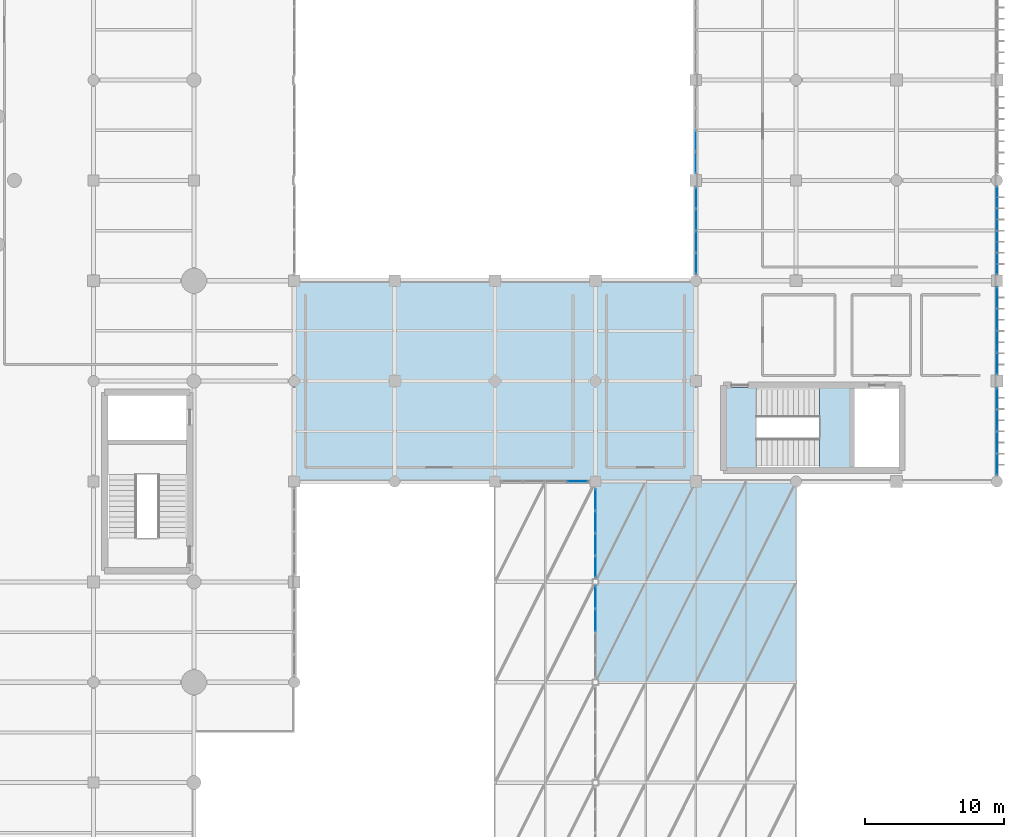
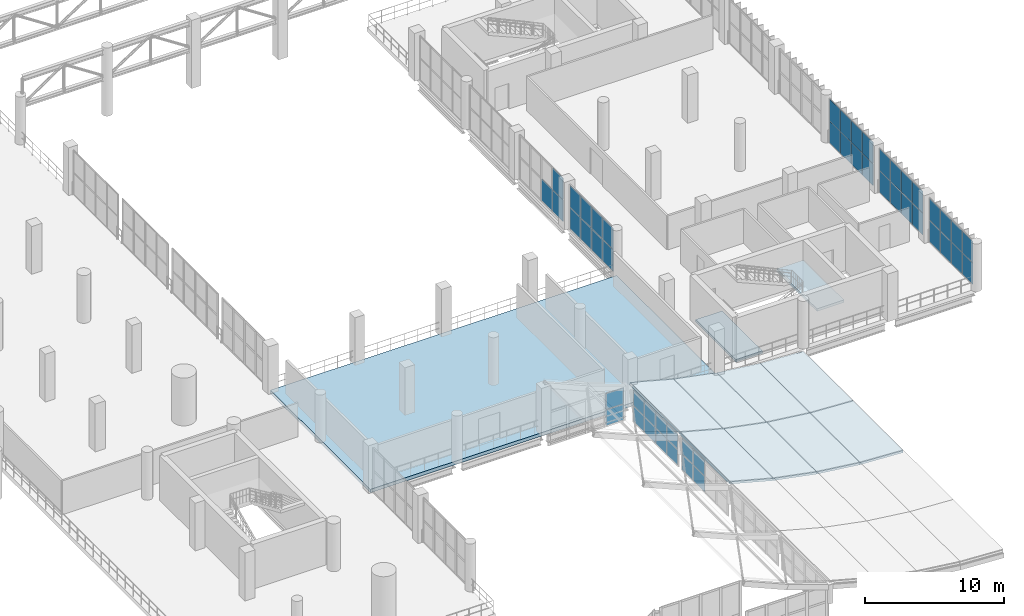
# One storey, part 126 of 153: 49 plates, 11 slabs, 9 elements without a shape of their own.
"""IFC4 building model written with IfcOpenShell, lengths in metres."""

import ifcopenshell
import ifcopenshell.guid

model = None  # the IFC model being written
_history = None  # IfcOwnerHistory: only IFC2X3 demands one
_inside = {}  # id of a spatial element -> (the spatial element, [elements in it])
_under = {}  # id of a project, library or spatial element -> (it, [spatial elements below it])
_declared = {}  # id of a project -> (the project, [libraries it declares])
_typed = {}  # id of a type object -> (the type object, [elements of that type])
_made_of = {}  # id of a material, layer set ... -> (it, [elements and type objects made of it])


def new_model(schema):
    """Start an empty IFC model of exactly this schema.

    Asked for "IFC4X3", IfcOpenShell would pick the latest addendum, in which some entities
    have other attributes; the version numbers below select the first issue.
    IFC2X3 requires an IfcOwnerHistory on every rooted entity: one is made here for all.
    """
    global model, _history
    if schema == "IFC4X3":
        model = ifcopenshell.file(schema_version=(4, 3, 0, 0))
    else:
        model = ifcopenshell.file(schema=schema)
    _inside.clear()
    _under.clear()
    _declared.clear()
    _typed.clear()
    _made_of.clear()
    _history = None
    if model.schema == "IFC2X3":
        org = make("IfcOrganization", Name="unknown")
        user = make(
            "IfcPersonAndOrganization",
            ThePerson=make("IfcPerson", FamilyName="unknown"),
            TheOrganization=org,
        )
        app = make(
            "IfcApplication",
            ApplicationDeveloper=org,
            Version="unknown",
            ApplicationFullName="unknown",
            ApplicationIdentifier="unknown",
        )
        _history = make(
            "IfcOwnerHistory",
            OwningUser=user,
            OwningApplication=app,
            ChangeAction="ADDED",
            CreationDate=0,
        )
    return model


def make(cls, **values):
    """One entity of the class cls with the attributes given. An attribute that is None is left unset."""
    return model.create_entity(
        cls, **{name: value for name, value in values.items() if value is not None}
    )


def rooted(cls, **values):
    """An entity with a GlobalId (a new one), such as an element, a storey or a relation."""
    return make(cls, GlobalId=ifcopenshell.guid.new(), OwnerHistory=_history, **values)


def si_unit(unit_type, name, prefix=None):
    """IfcSIUnit, for example si_unit("LENGTHUNIT", "METRE", prefix="MILLI")."""
    return make("IfcSIUnit", UnitType=unit_type, Prefix=prefix, Name=name)


def assignment(units):
    """IfcUnitAssignment: the units of a project."""
    return None if units is None else make("IfcUnitAssignment", Units=units)


def point(xyz):
    """IfcCartesianPoint."""
    return None if xyz is None else make("IfcCartesianPoint", Coordinates=xyz)


def direction(xyz):
    """IfcDirection."""
    return None if xyz is None else make("IfcDirection", DirectionRatios=xyz)


def frame(location, z_axis=None, x_axis=None):
    """IfcAxis2Placement3D, a coordinate frame: its origin and axes. An axis left out is left unset."""
    return make(
        "IfcAxis2Placement3D",
        Location=point(location),
        Axis=direction(z_axis),
        RefDirection=direction(x_axis),
    )


def frame_2d(location, x_axis=None):
    """IfcAxis2Placement2D, a coordinate frame in the plane: its origin and x axis."""
    return make(
        "IfcAxis2Placement2D", Location=point(location), RefDirection=direction(x_axis)
    )


def origin():
    """The frame at (0, 0, 0) with its axes left unset."""
    return frame((0.0, 0.0, 0.0))


def origin_2d():
    """The frame at (0, 0) in the plane with its x axis left unset."""
    return frame_2d((0.0, 0.0))


def place(relative_to, where):
    """IfcLocalPlacement: puts the frame where relative to a parent placement (None: the world)."""
    return make(
        "IfcLocalPlacement", PlacementRelTo=relative_to, RelativePlacement=where
    )


def context(
    kind, dimensions, precision=None, world=None, true_north=None, identifier=None
):
    """IfcGeometricRepresentationContext, for example the 3D "Model" context."""
    return make(
        "IfcGeometricRepresentationContext",
        ContextIdentifier=identifier,
        ContextType=kind,
        CoordinateSpaceDimension=dimensions,
        Precision=precision,
        WorldCoordinateSystem=world,
        TrueNorth=true_north,
    )


def subcontext(parent, identifier, kind, view, scale=None):
    """IfcGeometricRepresentationSubContext, for example "Body" below "Model"."""
    return make(
        "IfcGeometricRepresentationSubContext",
        ContextIdentifier=identifier,
        ContextType=kind,
        ParentContext=parent,
        TargetScale=scale,
        TargetView=view,
    )


def project(units=None, contexts=None):
    """IfcProject with its units and contexts."""
    return rooted(
        "IfcProject",
        Name="project",
        RepresentationContexts=contexts,
        UnitsInContext=assignment(units),
    )


def spatial(cls, under=None, at=None, **own):
    """A site, building, storey or space (cls), placed at a placement, below another one or the project."""
    s = rooted(cls, ObjectPlacement=at, **own)
    if under is not None:
        _under.setdefault(under.id(), (under, []))[1].append(s)
    return s


def polyline(points):
    """IfcPolyline through the points."""
    return make("IfcPolyline", Points=[point(p) for p in points])


def profile(cls, at=None, kind="AREA", **sizes):
    """A parametric profile (cls). Its sizes go by their IFC names, for example OverallWidth=200.0."""
    return make(cls, ProfileType=kind, Position=at, **sizes)


def rectangle(**sizes):
    """IfcRectangleProfileDef."""
    return profile("IfcRectangleProfileDef", **sizes)


def outline(outer, holes=None, kind="AREA"):
    """IfcArbitraryClosedProfileDef: a profile drawn as a closed curve; with holes, ...WithVoids."""
    if holes is None:
        return make("IfcArbitraryClosedProfileDef", ProfileType=kind, OuterCurve=outer)
    return make(
        "IfcArbitraryProfileDefWithVoids",
        ProfileType=kind,
        OuterCurve=outer,
        InnerCurves=holes,
    )


def extrude(swept, where, along, depth):
    """IfcExtrudedAreaSolid: the profile swept, set in the frame where, extruded along a direction by depth."""
    return make(
        "IfcExtrudedAreaSolid",
        SweptArea=swept,
        Position=where,
        ExtrudedDirection=direction(along),
        Depth=depth,
    )


def shape(context_of_items, identifier, shape_type, items):
    """IfcShapeRepresentation: the items that make up one representation, for example the "Body"."""
    return make(
        "IfcShapeRepresentation",
        ContextOfItems=context_of_items,
        RepresentationIdentifier=identifier,
        RepresentationType=shape_type,
        Items=items,
    )


def material(Name=None, Category=None):
    """IfcMaterial."""
    return make("IfcMaterial", Name=Name, Category=Category)


def layer(
    of_material, thickness, ventilated=None, Name=None, Category=None, Priority=None
):
    """IfcMaterialLayer: one layer of a wall or slab, of a material (None: an air gap)."""
    return make(
        "IfcMaterialLayer",
        Material=of_material,
        LayerThickness=thickness,
        IsVentilated=ventilated,
        Name=Name,
        Category=Category,
        Priority=Priority,
    )


def layer_set(layers, Name=None):
    """IfcMaterialLayerSet."""
    return make("IfcMaterialLayerSet", MaterialLayers=layers, LayerSetName=Name)


def made_of(thing, what):
    """Note that an element or type object is made of a material, layer set ...; save() writes the relation."""
    if what is not None:
        _made_of.setdefault(what.id(), (what, []))[1].append(thing)
    return thing


def type_object(cls, material=None, **own):
    """A type object (cls), such as IfcWallType, which elements share."""
    return made_of(rooted(cls, **own), material)


def element(
    cls,
    number,
    at=None,
    inside=None,
    cuts=None,
    type_object=None,
    material=None,
    context=None,
    identifier="Body",
    shape_type=None,
    held_by="IfcProductDefinitionShape",
    body=None,
    shapes=None,
    **own,
):
    """One element of the class cls, such as IfcWall. Its Tag is "e" and its number.

    at: its placement. inside: the storey or other place that contains it. cuts: it is an
    opening in that element (IfcRelVoidsElement). A single representation is given by context,
    identifier, shape_type and body (its items); several are given by shapes. held_by: the class
    of the entity that holds the representations. save() writes the other relations.
    """
    e = rooted(cls, Tag="e%d" % number, ObjectPlacement=at, **own)
    if body is not None:
        shapes = [shape(context, identifier, shape_type, body)]
    if shapes is not None:
        e.Representation = make(held_by, Representations=shapes)
    if inside is not None:
        _inside.setdefault(inside.id(), (inside, []))[1].append(e)
    if cuts is not None:
        rooted(
            "IfcRelVoidsElement", RelatingBuildingElement=cuts, RelatedOpeningElement=e
        )
    if type_object is not None:
        _typed.setdefault(type_object.id(), (type_object, []))[1].append(e)
    return made_of(e, material)


def aggregate(whole, parts):
    """IfcRelAggregates: a whole, such as a stair, and the parts it consists of."""
    return rooted("IfcRelAggregates", RelatingObject=whole, RelatedObjects=parts)


def save(model, path):
    """Write the relations noted so far, then the file.

    IfcRelAggregates (storeys below a building ...), IfcRelContainedInSpatialStructure (elements
    in a storey), IfcRelDefinesByType, IfcRelAssociatesMaterial and IfcRelDeclares: one each for
    every whole, place, type object, material and project.
    """
    for whole, parts in _under.values():
        aggregate(whole, parts)
    for where, things in _inside.values():
        rooted(
            "IfcRelContainedInSpatialStructure",
            RelatedElements=things,
            RelatingStructure=where,
        )
    for kind, things in _typed.values():
        rooted("IfcRelDefinesByType", RelatedObjects=things, RelatingType=kind)
    for what, things in _made_of.values():
        rooted("IfcRelAssociatesMaterial", RelatedObjects=things, RelatingMaterial=what)
    for by, libraries in _declared.values():
        rooted("IfcRelDeclares", RelatingContext=by, RelatedDefinitions=libraries)
    model.write(path)


model = new_model("IFC4")

# Units and contexts
model_context = context("Model", 3, precision=1e-05, world=origin(), true_north=direction((0.0, 1.0)))
body_context = subcontext(model_context, "Body", "Model", "MODEL_VIEW")
ifc_project = project(units=[si_unit("LENGTHUNIT", "METRE"), si_unit("AREAUNIT", "SQUARE_METRE"), si_unit("VOLUMEUNIT", "CUBIC_METRE"), si_unit("PLANEANGLEUNIT", "RADIAN"), si_unit("MASSUNIT", "GRAM", prefix="KILO")], contexts=[model_context])

# Site, building, storey
site_placement = place(None, origin())
site = spatial("IfcSite", under=ifc_project, at=site_placement, CompositionType="ELEMENT")
building_placement = place(site_placement, origin())
building = spatial("IfcBuilding", under=site, at=building_placement, Name="Qandorah Velis Arena", CompositionType="ELEMENT")
storey_placement = place(building_placement, frame((0.0, 0.0, 5.39990234375)))
storey = spatial("IfcBuildingStorey", under=building, at=storey_placement, Name="L01", CompositionType="ELEMENT", Elevation=5.39990234375)

# Curtain wall, plates
ifc_material_1 = material(Name="Solar-control low-E double glazing", Category="glass")
curtain_wall_type_1 = type_object("IfcCurtainWallType", Name="ARC-CW-SYS19", PredefinedType="USERDEFINED", material=ifc_material_1)
curtain_wall_1_placement = place(storey_placement, origin())
curtain_wall_1 = element("IfcCurtainWall", 1, at=curtain_wall_1_placement, inside=storey, type_object=curtain_wall_type_1, Name="Unitised curtain wall L01-139", ObjectType="UNITISED CURTAIN WALL", PredefinedType="USERDEFINED")
ifc_layer_1 = layer(ifc_material_1, 0.02392578125)
ifc_layer_set_1 = layer_set([ifc_layer_1], Name="Solar-control low-E double glazing")
plate_type_1 = type_object("IfcPlateType", Name="ARC-CWP-GLZ24", PredefinedType="CURTAIN_PANEL", material=ifc_layer_set_1)
plate_1_placement = place(storey_placement, frame((172.800048828125, 51.655517578125, 0.05029296875), z_axis=(0.0, 0.0, 1.0), x_axis=(0.0, 1.0, 0.0)))
plate_1 = element("IfcPlate", 2, at=plate_1_placement, type_object=plate_type_1, Name="CW19 panel 1.1", PredefinedType="CURTAIN_PANEL", context=body_context, shape_type="SweptSolid", body=[
    extrude(rectangle(XDim=1.51123046875, YDim=0.02392578125, at=origin_2d()), origin(), (0.0, 0.0, 1.0), 1.889892578125),
])
plate_2_placement = place(storey_placement, frame((172.800048828125, 51.655517578125, 1.97998046875), z_axis=(0.0, 0.0, 1.0), x_axis=(0.0, 1.0, 0.0)))
plate_2 = element("IfcPlate", 3, at=plate_2_placement, type_object=plate_type_1, Name="CW19 panel 1.2", PredefinedType="CURTAIN_PANEL", context=body_context, shape_type="SweptSolid", body=[
    extrude(rectangle(XDim=1.51123046875, YDim=0.02392578125, at=origin_2d()), origin(), (0.0, 0.0, 1.0), 1.889892578125),
])
plate_3_placement = place(storey_placement, frame((172.800048828125, 53.221923828125, 0.05029296875), z_axis=(0.0, 0.0, 1.0), x_axis=(0.0, 1.0, 0.0)))
plate_3 = element("IfcPlate", 4, at=plate_3_placement, type_object=plate_type_1, Name="CW19 panel 2.1", PredefinedType="CURTAIN_PANEL", context=body_context, shape_type="SweptSolid", body=[
    extrude(rectangle(XDim=1.541259765625, YDim=0.02392578125, at=origin_2d()), origin(), (0.0, 0.0, 1.0), 1.889892578125),
])
plate_4_placement = place(storey_placement, frame((172.800048828125, 53.221923828125, 1.97998046875), z_axis=(0.0, 0.0, 1.0), x_axis=(0.0, 1.0, 0.0)))
plate_4 = element("IfcPlate", 5, at=plate_4_placement, type_object=plate_type_1, Name="CW19 panel 2.2", PredefinedType="CURTAIN_PANEL", context=body_context, shape_type="SweptSolid", body=[
    extrude(rectangle(XDim=1.541259765625, YDim=0.02392578125, at=origin_2d()), origin(), (0.0, 0.0, 1.0), 1.889892578125),
])
plate_5_placement = place(storey_placement, frame((172.800048828125, 54.80322265625, 0.05029296875), z_axis=(0.0, 0.0, 1.0), x_axis=(0.0, 1.0, 0.0)))
plate_5 = element("IfcPlate", 6, at=plate_5_placement, type_object=plate_type_1, Name="CW19 panel 3.1", PredefinedType="CURTAIN_PANEL", context=body_context, shape_type="SweptSolid", body=[
    extrude(rectangle(XDim=1.541259765625, YDim=0.02392578125, at=origin_2d()), origin(), (0.0, 0.0, 1.0), 1.889892578125),
])
plate_6_placement = place(storey_placement, frame((172.800048828125, 54.80322265625, 1.97998046875), z_axis=(0.0, 0.0, 1.0), x_axis=(0.0, 1.0, 0.0)))
plate_6 = element("IfcPlate", 7, at=plate_6_placement, type_object=plate_type_1, Name="CW19 panel 3.2", PredefinedType="CURTAIN_PANEL", context=body_context, shape_type="SweptSolid", body=[
    extrude(rectangle(XDim=1.541259765625, YDim=0.02392578125, at=origin_2d()), origin(), (0.0, 0.0, 1.0), 1.889892578125),
])
plate_7_placement = place(storey_placement, frame((172.800048828125, 56.369384765625, 0.05029296875), z_axis=(0.0, 0.0, 1.0), x_axis=(0.0, 1.0, 0.0)))
plate_7 = element("IfcPlate", 8, at=plate_7_placement, type_object=plate_type_1, Name="CW19 panel 4.1", PredefinedType="CURTAIN_PANEL", context=body_context, shape_type="SweptSolid", body=[
    extrude(rectangle(XDim=1.51123046875, YDim=0.02392578125, at=origin_2d()), origin(), (0.0, 0.0, 1.0), 1.889892578125),
])
plate_8_placement = place(storey_placement, frame((172.800048828125, 56.369384765625, 1.97998046875), z_axis=(0.0, 0.0, 1.0), x_axis=(0.0, 1.0, 0.0)))
plate_8 = element("IfcPlate", 9, at=plate_8_placement, type_object=plate_type_1, Name="CW19 panel 4.2", PredefinedType="CURTAIN_PANEL", context=body_context, shape_type="SweptSolid", body=[
    extrude(rectangle(XDim=1.51123046875, YDim=0.02392578125, at=origin_2d()), origin(), (0.0, 0.0, 1.0), 1.889892578125),
])
aggregate(curtain_wall_1, [plate_1, plate_2, plate_3, plate_4, plate_5, plate_6, plate_7, plate_8])

curtain_wall_type_2 = type_object("IfcCurtainWallType", Name="ARC-CW-SYS18", PredefinedType="USERDEFINED", material=ifc_material_1)
curtain_wall_2_placement = place(storey_placement, origin())
curtain_wall_2 = element("IfcCurtainWall", 10, at=curtain_wall_2_placement, inside=storey, type_object=curtain_wall_type_2, Name="Unitised curtain wall L01-138", ObjectType="UNITISED CURTAIN WALL", PredefinedType="USERDEFINED")
ifc_layer_2 = layer(ifc_material_1, 0.028076171875)
ifc_layer_set_2 = layer_set([ifc_layer_2], Name="Solar-control low-E double glazing")
plate_type_2 = type_object("IfcPlateType", Name="ARC-CWP-GLZ28", PredefinedType="CURTAIN_PANEL", material=ifc_layer_set_2)
plate_9_placement = place(storey_placement, frame((172.800048828125, 44.431884765625, 0.05517578125), z_axis=(0.0, 0.0, 1.0), x_axis=(0.0, 1.0, 0.0)))
plate_9 = element("IfcPlate", 11, at=plate_9_placement, type_object=plate_type_2, Name="CW18 panel 1.1", PredefinedType="CURTAIN_PANEL", context=body_context, shape_type="SweptSolid", body=[
    extrude(rectangle(XDim=1.50390625, YDim=0.028076171875, at=origin_2d()), origin(), (0.0, 0.0, 1.0), 1.882568359375),
])
plate_10_placement = place(storey_placement, frame((172.800048828125, 44.431884765625, 1.982421875), z_axis=(0.0, 0.0, 1.0), x_axis=(0.0, 1.0, 0.0)))
plate_10 = element("IfcPlate", 12, at=plate_10_placement, type_object=plate_type_2, Name="CW18 panel 1.2", PredefinedType="CURTAIN_PANEL", context=body_context, shape_type="SweptSolid", body=[
    extrude(rectangle(XDim=1.50390625, YDim=0.028076171875, at=origin_2d()), origin(), (0.0, 0.0, 1.0), 1.882568359375),
])
plate_11_placement = place(storey_placement, frame((172.800048828125, 45.996826171875, 0.05517578125), z_axis=(0.0, 0.0, 1.0), x_axis=(0.0, 1.0, 0.0)))
plate_11 = element("IfcPlate", 13, at=plate_11_placement, type_object=plate_type_2, Name="CW18 panel 2.1", PredefinedType="CURTAIN_PANEL", context=body_context, shape_type="SweptSolid", body=[
    extrude(rectangle(XDim=1.536376953125, YDim=0.028076171875, at=origin_2d()), origin(), (0.0, 0.0, 1.0), 1.882568359375),
])
plate_12_placement = place(storey_placement, frame((172.800048828125, 45.996826171875, 1.982421875), z_axis=(0.0, 0.0, 1.0), x_axis=(0.0, 1.0, 0.0)))
plate_12 = element("IfcPlate", 14, at=plate_12_placement, type_object=plate_type_2, Name="CW18 panel 2.2", PredefinedType="CURTAIN_PANEL", context=body_context, shape_type="SweptSolid", body=[
    extrude(rectangle(XDim=1.536376953125, YDim=0.028076171875, at=origin_2d()), origin(), (0.0, 0.0, 1.0), 1.882568359375),
])
plate_13_placement = place(storey_placement, frame((172.800048828125, 47.578125, 0.05517578125), z_axis=(0.0, 0.0, 1.0), x_axis=(0.0, 1.0, 0.0)))
plate_13 = element("IfcPlate", 15, at=plate_13_placement, type_object=plate_type_2, Name="CW18 panel 3.1", PredefinedType="CURTAIN_PANEL", context=body_context, shape_type="SweptSolid", body=[
    extrude(rectangle(XDim=1.536376953125, YDim=0.028076171875, at=origin_2d()), origin(), (0.0, 0.0, 1.0), 1.882568359375),
])
plate_14_placement = place(storey_placement, frame((172.800048828125, 47.578125, 1.982421875), z_axis=(0.0, 0.0, 1.0), x_axis=(0.0, 1.0, 0.0)))
plate_14 = element("IfcPlate", 16, at=plate_14_placement, type_object=plate_type_2, Name="CW18 panel 3.2", PredefinedType="CURTAIN_PANEL", context=body_context, shape_type="SweptSolid", body=[
    extrude(rectangle(XDim=1.536376953125, YDim=0.028076171875, at=origin_2d()), origin(), (0.0, 0.0, 1.0), 1.882568359375),
])
plate_15_placement = place(storey_placement, frame((172.800048828125, 49.14306640625, 0.05517578125), z_axis=(0.0, 0.0, 1.0), x_axis=(0.0, 1.0, 0.0)))
plate_15 = element("IfcPlate", 17, at=plate_15_placement, type_object=plate_type_2, Name="CW18 panel 4.1", PredefinedType="CURTAIN_PANEL", context=body_context, shape_type="SweptSolid", body=[
    extrude(rectangle(XDim=1.50390625, YDim=0.028076171875, at=origin_2d()), origin(), (0.0, 0.0, 1.0), 1.882568359375),
])
plate_16_placement = place(storey_placement, frame((172.800048828125, 49.14306640625, 1.982421875), z_axis=(0.0, 0.0, 1.0), x_axis=(0.0, 1.0, 0.0)))
plate_16 = element("IfcPlate", 18, at=plate_16_placement, type_object=plate_type_2, Name="CW18 panel 4.2", PredefinedType="CURTAIN_PANEL", context=body_context, shape_type="SweptSolid", body=[
    extrude(rectangle(XDim=1.50390625, YDim=0.028076171875, at=origin_2d()), origin(), (0.0, 0.0, 1.0), 1.882568359375),
])
aggregate(curtain_wall_2, [plate_9, plate_10, plate_11, plate_12, plate_13, plate_14, plate_15, plate_16])

curtain_wall_type_3 = type_object("IfcCurtainWallType", Name="ARC-CW-SYS02", PredefinedType="USERDEFINED", material=ifc_material_1)
curtain_wall_3_placement = place(storey_placement, origin())
curtain_wall_3 = element("IfcCurtainWall", 19, at=curtain_wall_3_placement, inside=storey, type_object=curtain_wall_type_3, Name="Unitised curtain wall L01-122", ObjectType="UNITISED CURTAIN WALL", PredefinedType="USERDEFINED")
ifc_layer_3 = layer(ifc_material_1, 0.030029296875)
ifc_layer_set_3 = layer_set([ifc_layer_3], Name="Solar-control low-E double glazing")
plate_type_3 = type_object("IfcPlateType", Name="ARC-CWP-GLZ30", PredefinedType="CURTAIN_PANEL", material=ifc_layer_set_3)
plate_17_placement = place(storey_placement, frame((151.199951171875, 66.056884765625, 0.05517578125), z_axis=(0.0, 0.0, 1.0), x_axis=(0.0, 1.0, 0.0)))
plate_17 = element("IfcPlate", 20, at=plate_17_placement, type_object=plate_type_3, Name="CW02 panel 1.1", PredefinedType="CURTAIN_PANEL", context=body_context, shape_type="SweptSolid", body=[
    extrude(rectangle(XDim=1.50390625, YDim=0.030029296875, at=origin_2d()), origin(), (0.0, 0.0, 1.0), 1.882568359375),
])
plate_18_placement = place(storey_placement, frame((151.199951171875, 66.056884765625, 1.982421875), z_axis=(0.0, 0.0, 1.0), x_axis=(0.0, 1.0, 0.0)))
plate_18 = element("IfcPlate", 21, at=plate_18_placement, type_object=plate_type_3, Name="CW02 panel 1.2", PredefinedType="CURTAIN_PANEL", context=body_context, shape_type="SweptSolid", body=[
    extrude(rectangle(XDim=1.50390625, YDim=0.030029296875, at=origin_2d()), origin(), (0.0, 0.0, 1.0), 1.882568359375),
])
plate_19_placement = place(storey_placement, frame((151.199951171875, 67.621826171875, 0.05517578125), z_axis=(0.0, 0.0, 1.0), x_axis=(0.0, 1.0, 0.0)))
plate_19 = element("IfcPlate", 22, at=plate_19_placement, type_object=plate_type_3, Name="CW02 panel 2.1", PredefinedType="CURTAIN_PANEL", context=body_context, shape_type="SweptSolid", body=[
    extrude(rectangle(XDim=1.536376953125, YDim=0.030029296875, at=origin_2d()), origin(), (0.0, 0.0, 1.0), 1.882568359375),
])
aggregate(curtain_wall_3, [plate_17, plate_18, plate_19])

curtain_wall_type_4 = type_object("IfcCurtainWallType", Name="ARC-CW-SYS05", PredefinedType="USERDEFINED", material=ifc_material_1)
curtain_wall_4_placement = place(storey_placement, origin())
curtain_wall_4 = element("IfcCurtainWall", 23, at=curtain_wall_4_placement, inside=storey, type_object=curtain_wall_type_4, Name="Unitised curtain wall FOY-UP-4", ObjectType="UNITISED CURTAIN WALL", PredefinedType="USERDEFINED")
ifc_layer_4 = layer(ifc_material_1, 0.035888671875)
ifc_layer_set_4 = layer_set([ifc_layer_4], Name="Solar-control low-E double glazing")
plate_type_4 = type_object("IfcPlateType", Name="ARC-CWP-GLZ36", PredefinedType="CURTAIN_PANEL", material=ifc_layer_set_4)
plate_20_placement = place(storey_placement, frame((142.71875, 43.199951171875, -1.2548828125), z_axis=(0.0, 0.0, 1.0), x_axis=(1.0, 0.0, 0.0)))
plate_20 = element("IfcPlate", 24, at=plate_20_placement, type_object=plate_type_4, Name="CW05 panel 4.1", PredefinedType="CURTAIN_PANEL", context=body_context, shape_type="SweptSolid", body=[
    extrude(rectangle(XDim=1.482421875, YDim=0.035888671875, at=origin_2d()), origin(), (0.0, 0.0, 1.0), 1.3857421875),
])
plate_21_placement = place(storey_placement, frame((142.71875, 43.199951171875, 0.185791015625), z_axis=(0.0, 0.0, 1.0), x_axis=(1.0, 0.0, 0.0)))
plate_21 = element("IfcPlate", 25, at=plate_21_placement, type_object=plate_type_4, Name="CW05 panel 4.2", PredefinedType="CURTAIN_PANEL", context=body_context, shape_type="SweptSolid", body=[
    extrude(rectangle(XDim=1.482421875, YDim=0.035888671875, at=origin_2d()), origin(), (0.0, 0.0, 1.0), 1.3857421875),
])
aggregate(curtain_wall_4, [plate_20, plate_21])

curtain_wall_type_5 = type_object("IfcCurtainWallType", Name="ARC-CW-SYS08", PredefinedType="USERDEFINED", material=ifc_material_1)
curtain_wall_5_placement = place(storey_placement, origin())
curtain_wall_5 = element("IfcCurtainWall", 26, at=curtain_wall_5_placement, inside=storey, type_object=curtain_wall_type_5, Name="Unitised curtain wall FOY-UP-7", ObjectType="UNITISED CURTAIN WALL", PredefinedType="USERDEFINED")
plate_22_placement = place(storey_placement, frame((144.0, 33.236572265625, -1.2548828125), z_axis=(0.0, 0.0, 1.0), x_axis=(0.0, 1.0, 0.0)))
plate_22 = element("IfcPlate", 27, at=plate_22_placement, type_object=plate_type_4, Name="CW08 panel 3.1", PredefinedType="CURTAIN_PANEL", context=body_context, shape_type="SweptSolid", body=[
    extrude(rectangle(XDim=1.6181640625, YDim=0.035888671875, at=origin_2d()), origin(), (0.0, 0.0, 1.0), 1.351806640625),
])
plate_23_placement = place(storey_placement, frame((144.0, 33.236572265625, 0.15185546875), z_axis=(0.0, 0.0, 1.0), x_axis=(0.0, 1.0, 0.0)))
plate_23 = element("IfcPlate", 28, at=plate_23_placement, type_object=plate_type_4, Name="CW08 panel 3.2", PredefinedType="CURTAIN_PANEL", context=body_context, shape_type="SweptSolid", body=[
    extrude(rectangle(XDim=1.6181640625, YDim=0.035888671875, at=origin_2d()), origin(), (0.0, 0.0, 1.0), 1.351806640625),
])
plate_24_placement = place(storey_placement, frame((144.0, 34.89111328125, -1.2548828125), z_axis=(0.0, 0.0, 1.0), x_axis=(0.0, 1.0, 0.0)))
plate_24 = element("IfcPlate", 29, at=plate_24_placement, type_object=plate_type_4, Name="CW08 panel 4.1", PredefinedType="CURTAIN_PANEL", context=body_context, shape_type="SweptSolid", body=[
    extrude(rectangle(XDim=1.580810546875, YDim=0.035888671875, at=origin_2d()), origin(), (0.0, 0.0, 1.0), 1.351806640625),
])
plate_25_placement = place(storey_placement, frame((144.0, 34.89111328125, 0.15185546875), z_axis=(0.0, 0.0, 1.0), x_axis=(0.0, 1.0, 0.0)))
plate_25 = element("IfcPlate", 30, at=plate_25_placement, type_object=plate_type_4, Name="CW08 panel 4.2", PredefinedType="CURTAIN_PANEL", context=body_context, shape_type="SweptSolid", body=[
    extrude(rectangle(XDim=1.580810546875, YDim=0.035888671875, at=origin_2d()), origin(), (0.0, 0.0, 1.0), 1.351806640625),
])
aggregate(curtain_wall_5, [plate_22, plate_23, plate_24, plate_25])

curtain_wall_type_6 = type_object("IfcCurtainWallType", Name="ARC-CW-SYS09", PredefinedType="USERDEFINED", material=ifc_material_1)
curtain_wall_6_placement = place(storey_placement, origin())
curtain_wall_6 = element("IfcCurtainWall", 31, at=curtain_wall_6_placement, inside=storey, type_object=curtain_wall_type_6, Name="Unitised curtain wall FOY-UP-8", ObjectType="UNITISED CURTAIN WALL", PredefinedType="USERDEFINED")
plate_26_placement = place(storey_placement, frame((144.0, 37.081298828125, -1.2548828125), z_axis=(0.0, 0.0, 1.0), x_axis=(0.0, 1.0, 0.0)))
plate_26 = element("IfcPlate", 32, at=plate_26_placement, type_object=plate_type_4, Name="CW09 panel 1.1", PredefinedType="CURTAIN_PANEL", context=body_context, shape_type="SweptSolid", body=[
    extrude(rectangle(XDim=1.525390625, YDim=0.035888671875, at=origin_2d()), origin(), (0.0, 0.0, 1.0), 1.351806640625),
])
plate_27_placement = place(storey_placement, frame((144.0, 37.081298828125, 0.15185546875), z_axis=(0.0, 0.0, 1.0), x_axis=(0.0, 1.0, 0.0)))
plate_27 = element("IfcPlate", 33, at=plate_27_placement, type_object=plate_type_4, Name="CW09 panel 1.2", PredefinedType="CURTAIN_PANEL", context=body_context, shape_type="SweptSolid", body=[
    extrude(rectangle(XDim=1.525390625, YDim=0.035888671875, at=origin_2d()), origin(), (0.0, 0.0, 1.0), 1.351806640625),
])
plate_28_placement = place(storey_placement, frame((144.0, 38.680419921875, -1.2548828125), z_axis=(0.0, 0.0, 1.0), x_axis=(0.0, 1.0, 0.0)))
plate_28 = element("IfcPlate", 34, at=plate_28_placement, type_object=plate_type_4, Name="CW09 panel 2.1", PredefinedType="CURTAIN_PANEL", context=body_context, shape_type="SweptSolid", body=[
    extrude(rectangle(XDim=1.56298828125, YDim=0.035888671875, at=origin_2d()), origin(), (0.0, 0.0, 1.0), 1.351806640625),
])
plate_29_placement = place(storey_placement, frame((144.0, 38.680419921875, 0.15185546875), z_axis=(0.0, 0.0, 1.0), x_axis=(0.0, 1.0, 0.0)))
plate_29 = element("IfcPlate", 35, at=plate_29_placement, type_object=plate_type_4, Name="CW09 panel 2.2", PredefinedType="CURTAIN_PANEL", context=body_context, shape_type="SweptSolid", body=[
    extrude(rectangle(XDim=1.56298828125, YDim=0.035888671875, at=origin_2d()), origin(), (0.0, 0.0, 1.0), 1.351806640625),
])
plate_30_placement = place(storey_placement, frame((144.0, 40.298095703125, -1.2548828125), z_axis=(0.0, 0.0, 1.0), x_axis=(0.0, 1.0, 0.0)))
plate_30 = element("IfcPlate", 36, at=plate_30_placement, type_object=plate_type_4, Name="CW09 panel 3.1", PredefinedType="CURTAIN_PANEL", context=body_context, shape_type="SweptSolid", body=[
    extrude(rectangle(XDim=1.56298828125, YDim=0.035888671875, at=origin_2d()), origin(), (0.0, 0.0, 1.0), 1.351806640625),
])
plate_31_placement = place(storey_placement, frame((144.0, 40.298095703125, 0.15185546875), z_axis=(0.0, 0.0, 1.0), x_axis=(0.0, 1.0, 0.0)))
plate_31 = element("IfcPlate", 37, at=plate_31_placement, type_object=plate_type_4, Name="CW09 panel 3.2", PredefinedType="CURTAIN_PANEL", context=body_context, shape_type="SweptSolid", body=[
    extrude(rectangle(XDim=1.56298828125, YDim=0.035888671875, at=origin_2d()), origin(), (0.0, 0.0, 1.0), 1.351806640625),
])
plate_32_placement = place(storey_placement, frame((144.0, 41.897216796875, -1.2548828125), z_axis=(0.0, 0.0, 1.0), x_axis=(0.0, 1.0, 0.0)))
plate_32 = element("IfcPlate", 38, at=plate_32_placement, type_object=plate_type_4, Name="CW09 panel 4.1", PredefinedType="CURTAIN_PANEL", context=body_context, shape_type="SweptSolid", body=[
    extrude(rectangle(XDim=1.525390625, YDim=0.035888671875, at=origin_2d()), origin(), (0.0, 0.0, 1.0), 1.351806640625),
])
plate_33_placement = place(storey_placement, frame((144.0, 41.897216796875, 0.15185546875), z_axis=(0.0, 0.0, 1.0), x_axis=(0.0, 1.0, 0.0)))
plate_33 = element("IfcPlate", 39, at=plate_33_placement, type_object=plate_type_4, Name="CW09 panel 4.2", PredefinedType="CURTAIN_PANEL", context=body_context, shape_type="SweptSolid", body=[
    extrude(rectangle(XDim=1.525390625, YDim=0.035888671875, at=origin_2d()), origin(), (0.0, 0.0, 1.0), 1.351806640625),
])
aggregate(curtain_wall_6, [plate_26, plate_27, plate_28, plate_29, plate_30, plate_31, plate_32, plate_33])

curtain_wall_type_7 = type_object("IfcCurtainWallType", Name="ARC-CW-SYS01", PredefinedType="USERDEFINED", material=ifc_material_1)
curtain_wall_7_placement = place(storey_placement, origin())
curtain_wall_7 = element("IfcCurtainWall", 40, at=curtain_wall_7_placement, inside=storey, type_object=curtain_wall_type_7, Name="Unitised curtain wall L01-121", ObjectType="UNITISED CURTAIN WALL", PredefinedType="USERDEFINED")
plate_34_placement = place(storey_placement, frame((151.199951171875, 58.83447265625, 0.06494140625), z_axis=(0.0, 0.0, 1.0), x_axis=(0.0, 1.0, 0.0)))
plate_34 = element("IfcPlate", 41, at=plate_34_placement, type_object=plate_type_4, Name="CW01 panel 1.1", PredefinedType="CURTAIN_PANEL", context=body_context, shape_type="SweptSolid", body=[
    extrude(rectangle(XDim=1.48876953125, YDim=0.035888671875, at=origin_2d()), origin(), (0.0, 0.0, 1.0), 1.867431640625),
])
plate_35_placement = place(storey_placement, frame((151.199951171875, 58.83447265625, 1.98779296875), z_axis=(0.0, 0.0, 1.0), x_axis=(0.0, 1.0, 0.0)))
plate_35 = element("IfcPlate", 42, at=plate_35_placement, type_object=plate_type_4, Name="CW01 panel 1.2", PredefinedType="CURTAIN_PANEL", context=body_context, shape_type="SweptSolid", body=[
    extrude(rectangle(XDim=1.48876953125, YDim=0.035888671875, at=origin_2d()), origin(), (0.0, 0.0, 1.0), 1.867431640625),
])
plate_36_placement = place(storey_placement, frame((151.199951171875, 60.39697265625, 0.06494140625), z_axis=(0.0, 0.0, 1.0), x_axis=(0.0, 1.0, 0.0)))
plate_36 = element("IfcPlate", 43, at=plate_36_placement, type_object=plate_type_4, Name="CW01 panel 2.1", PredefinedType="CURTAIN_PANEL", context=body_context, shape_type="SweptSolid", body=[
    extrude(rectangle(XDim=1.526123046875, YDim=0.035888671875, at=origin_2d()), origin(), (0.0, 0.0, 1.0), 1.867431640625),
])
plate_37_placement = place(storey_placement, frame((151.199951171875, 60.39697265625, 1.98779296875), z_axis=(0.0, 0.0, 1.0), x_axis=(0.0, 1.0, 0.0)))
plate_37 = element("IfcPlate", 44, at=plate_37_placement, type_object=plate_type_4, Name="CW01 panel 2.2", PredefinedType="CURTAIN_PANEL", context=body_context, shape_type="SweptSolid", body=[
    extrude(rectangle(XDim=1.526123046875, YDim=0.035888671875, at=origin_2d()), origin(), (0.0, 0.0, 1.0), 1.867431640625),
])
plate_38_placement = place(storey_placement, frame((151.199951171875, 61.97802734375, 0.06494140625), z_axis=(0.0, 0.0, 1.0), x_axis=(0.0, 1.0, 0.0)))
plate_38 = element("IfcPlate", 45, at=plate_38_placement, type_object=plate_type_4, Name="CW01 panel 3.1", PredefinedType="CURTAIN_PANEL", context=body_context, shape_type="SweptSolid", body=[
    extrude(rectangle(XDim=1.526123046875, YDim=0.035888671875, at=origin_2d()), origin(), (0.0, 0.0, 1.0), 1.867431640625),
])
plate_39_placement = place(storey_placement, frame((151.199951171875, 61.97802734375, 1.98779296875), z_axis=(0.0, 0.0, 1.0), x_axis=(0.0, 1.0, 0.0)))
plate_39 = element("IfcPlate", 46, at=plate_39_placement, type_object=plate_type_4, Name="CW01 panel 3.2", PredefinedType="CURTAIN_PANEL", context=body_context, shape_type="SweptSolid", body=[
    extrude(rectangle(XDim=1.526123046875, YDim=0.035888671875, at=origin_2d()), origin(), (0.0, 0.0, 1.0), 1.867431640625),
])
plate_40_placement = place(storey_placement, frame((151.199951171875, 63.54052734375, 0.06494140625), z_axis=(0.0, 0.0, 1.0), x_axis=(0.0, 1.0, 0.0)))
plate_40 = element("IfcPlate", 47, at=plate_40_placement, type_object=plate_type_4, Name="CW01 panel 4.1", PredefinedType="CURTAIN_PANEL", context=body_context, shape_type="SweptSolid", body=[
    extrude(rectangle(XDim=1.48876953125, YDim=0.035888671875, at=origin_2d()), origin(), (0.0, 0.0, 1.0), 1.867431640625),
])
plate_41_placement = place(storey_placement, frame((151.199951171875, 63.54052734375, 1.98779296875), z_axis=(0.0, 0.0, 1.0), x_axis=(0.0, 1.0, 0.0)))
plate_41 = element("IfcPlate", 48, at=plate_41_placement, type_object=plate_type_4, Name="CW01 panel 4.2", PredefinedType="CURTAIN_PANEL", context=body_context, shape_type="SweptSolid", body=[
    extrude(rectangle(XDim=1.48876953125, YDim=0.035888671875, at=origin_2d()), origin(), (0.0, 0.0, 1.0), 1.867431640625),
])
aggregate(curtain_wall_7, [plate_34, plate_35, plate_36, plate_37, plate_38, plate_39, plate_40, plate_41])

curtain_wall_type_8 = type_object("IfcCurtainWallType", Name="ARC-CW-SYS20", PredefinedType="USERDEFINED", material=ifc_material_1)
curtain_wall_8_placement = place(storey_placement, origin())
curtain_wall_8 = element("IfcCurtainWall", 49, at=curtain_wall_8_placement, inside=storey, type_object=curtain_wall_type_8, Name="Unitised curtain wall L01-140", ObjectType="UNITISED CURTAIN WALL", PredefinedType="USERDEFINED")
ifc_layer_5 = layer(ifc_material_1, 0.0439453125)
ifc_layer_set_5 = layer_set([ifc_layer_5], Name="Solar-control low-E double glazing")
plate_type_5 = type_object("IfcPlateType", Name="ARC-CWP-SPN44", PredefinedType="CURTAIN_PANEL", material=ifc_layer_set_5)
plate_42_placement = place(storey_placement, frame((172.800048828125, 58.83251953125, 0.045166015625), z_axis=(0.0, 0.0, 1.0), x_axis=(0.0, 1.0, 0.0)))
plate_42 = element("IfcPlate", 50, at=plate_42_placement, type_object=plate_type_5, Name="CW20 panel 1.1", PredefinedType="CURTAIN_PANEL", context=body_context, shape_type="SweptSolid", body=[
    extrude(rectangle(XDim=1.52490234375, YDim=0.0439453125, at=origin_2d()), origin(), (0.0, 0.0, 1.0), 1.8974609375),
])
plate_43_placement = place(storey_placement, frame((172.800048828125, 58.83251953125, 1.9775390625), z_axis=(0.0, 0.0, 1.0), x_axis=(0.0, 1.0, 0.0)))
plate_43 = element("IfcPlate", 51, at=plate_43_placement, type_object=plate_type_5, Name="CW20 panel 1.2", PredefinedType="CURTAIN_PANEL", context=body_context, shape_type="SweptSolid", body=[
    extrude(rectangle(XDim=1.52490234375, YDim=0.0439453125, at=origin_2d()), origin(), (0.0, 0.0, 1.0), 1.8974609375),
])
plate_44_placement = place(storey_placement, frame((172.800048828125, 60.40625, 0.045166015625), z_axis=(0.0, 0.0, 1.0), x_axis=(0.0, 1.0, 0.0)))
plate_44 = element("IfcPlate", 52, at=plate_44_placement, type_object=plate_type_5, Name="CW20 panel 2.1", PredefinedType="CURTAIN_PANEL", context=body_context, shape_type="SweptSolid", body=[
    extrude(rectangle(XDim=1.552490234375, YDim=0.0439453125, at=origin_2d()), origin(), (0.0, 0.0, 1.0), 1.8974609375),
])
plate_45_placement = place(storey_placement, frame((172.800048828125, 60.40625, 1.9775390625), z_axis=(0.0, 0.0, 1.0), x_axis=(0.0, 1.0, 0.0)))
plate_45 = element("IfcPlate", 53, at=plate_45_placement, type_object=plate_type_5, Name="CW20 panel 2.2", PredefinedType="CURTAIN_PANEL", context=body_context, shape_type="SweptSolid", body=[
    extrude(rectangle(XDim=1.552490234375, YDim=0.0439453125, at=origin_2d()), origin(), (0.0, 0.0, 1.0), 1.8974609375),
])
plate_46_placement = place(storey_placement, frame((172.800048828125, 61.99365234375, 0.045166015625), z_axis=(0.0, 0.0, 1.0), x_axis=(0.0, 1.0, 0.0)))
plate_46 = element("IfcPlate", 54, at=plate_46_placement, type_object=plate_type_5, Name="CW20 panel 3.1", PredefinedType="CURTAIN_PANEL", context=body_context, shape_type="SweptSolid", body=[
    extrude(rectangle(XDim=1.552490234375, YDim=0.0439453125, at=origin_2d()), origin(), (0.0, 0.0, 1.0), 1.8974609375),
])
plate_47_placement = place(storey_placement, frame((172.800048828125, 61.99365234375, 1.9775390625), z_axis=(0.0, 0.0, 1.0), x_axis=(0.0, 1.0, 0.0)))
plate_47 = element("IfcPlate", 55, at=plate_47_placement, type_object=plate_type_5, Name="CW20 panel 3.2", PredefinedType="CURTAIN_PANEL", context=body_context, shape_type="SweptSolid", body=[
    extrude(rectangle(XDim=1.552490234375, YDim=0.0439453125, at=origin_2d()), origin(), (0.0, 0.0, 1.0), 1.8974609375),
])
plate_48_placement = place(storey_placement, frame((172.800048828125, 63.5673828125, 0.045166015625), z_axis=(0.0, 0.0, 1.0), x_axis=(0.0, 1.0, 0.0)))
plate_48 = element("IfcPlate", 56, at=plate_48_placement, type_object=plate_type_5, Name="CW20 panel 4.1", PredefinedType="CURTAIN_PANEL", context=body_context, shape_type="SweptSolid", body=[
    extrude(rectangle(XDim=1.52490234375, YDim=0.0439453125, at=origin_2d()), origin(), (0.0, 0.0, 1.0), 1.8974609375),
])
plate_49_placement = place(storey_placement, frame((172.800048828125, 63.5673828125, 1.9775390625), z_axis=(0.0, 0.0, 1.0), x_axis=(0.0, 1.0, 0.0)))
plate_49 = element("IfcPlate", 57, at=plate_49_placement, type_object=plate_type_5, Name="CW20 panel 4.2", PredefinedType="CURTAIN_PANEL", context=body_context, shape_type="SweptSolid", body=[
    extrude(rectangle(XDim=1.52490234375, YDim=0.0439453125, at=origin_2d()), origin(), (0.0, 0.0, 1.0), 1.8974609375),
])
aggregate(curtain_wall_8, [plate_42, plate_43, plate_44, plate_45, plate_46, plate_47, plate_48, plate_49])

# Slabs
ifc_material_2 = material(Name="Concrete C40/50", Category="concrete")
ifc_layer_6 = layer(ifc_material_2, 0.300048828125)
ifc_layer_set_6 = layer_set([ifc_layer_6], Name="Concrete C40/50")
slab_type_1 = type_object("IfcSlabType", Name="STR-SLB-FL300", PredefinedType="FLOOR", material=ifc_layer_set_6)
slab_1_placement = place(storey_placement, frame((0.0, 0.0, -0.2998046875)))
element("IfcSlab", 58, at=slab_1_placement, inside=storey, type_object=slab_type_1, Name="Structural floor slab L01_FOYER_MEZZ", PredefinedType="FLOOR", context=body_context, shape_type="SweptSolid", body=[
    extrude(outline(polyline([(151.199951171875, 43.199951171875), (151.199951171875, 57.60009765625), (122.39990234375, 57.60009765625), (122.39990234375, 43.199951171875), (151.199951171875, 43.199951171875)])), origin(), (0.0, 0.0, 1.0), 0.2998046875),
])
ifc_layer_7 = layer(ifc_material_2, 0.219970703125)
ifc_layer_set_7 = layer_set([ifc_layer_7], Name="Concrete C40/50")
slab_type_2 = type_object("IfcSlabType", Name="STR-SLB-LND220", PredefinedType="LANDING", material=ifc_layer_set_7)
slab_2_placement = place(storey_placement, frame((0.0, 0.0, -0.219970703125)))
element("IfcSlab", 59, at=slab_2_placement, inside=storey, type_object=slab_type_2, Name="Stair ST7 storey landing slab L01", PredefinedType="LANDING", context=body_context, shape_type="SweptSolid", body=[
    extrude(outline(polyline([(153.35009765625, 44.14990234375), (155.550048828125, 44.14990234375), (155.550048828125, 49.949951171875), (153.35009765625, 49.949951171875), (153.35009765625, 44.14990234375)])), origin(), (0.0, 0.0, 1.0), 0.219970703125),
])

# Stair, slab
stair_type = type_object("IfcStairType", Name="ARC-ST-CORE42", PredefinedType="HALF_TURN_STAIR", material=ifc_material_2)
stair_placement = place(storey_placement, origin())
stair = element("IfcStair", 60, at=stair_placement, inside=storey, type_object=stair_type, Name="Protected exit stair ST7 (L01)", PredefinedType="HALF_TURN_STAIR")
slab_3_placement = place(storey_placement, frame((0.0, 0.0, 1.880126953125)))
slab_3 = element("IfcSlab", 61, at=slab_3_placement, type_object=slab_type_2, Name="ST7 landing 1", PredefinedType="LANDING", context=body_context, shape_type="SweptSolid", body=[
    extrude(outline(polyline([(160.0859375, 44.14990234375), (162.3359375, 44.14990234375), (162.3359375, 49.949951171875), (160.0859375, 49.949951171875), (160.0859375, 44.14990234375)])), origin(), (0.0, 0.0, 1.0), 0.219970703125),
])
aggregate(stair, [slab_3])

# Slabs
ifc_layer_8 = layer(ifc_material_2, 0.179931640625)
ifc_layer_set_8 = layer_set([ifc_layer_8], Name="Concrete C40/50")
slab_type_3 = type_object("IfcSlabType", Name="STR-SLB-RF180", PredefinedType="ROOF", material=ifc_layer_set_8)
slab_4_placement = place(storey_placement, frame((144.0, 28.800048828125, 1.828857421875), z_axis=(0.258502494813, 0.0, 0.966010590095), x_axis=(0.966010590095, 0.0, -0.258502494813)))
element("IfcSlab", 62, at=slab_4_placement, inside=storey, type_object=slab_type_3, Name="Sweeping entrance canopy deck 3.09", PredefinedType="ROOF", context=body_context, shape_type="SweptSolid", body=[
    extrude(outline(polyline([(0.0, 0.0), (3.726768312029095, 0.0), (3.726768312029095, 7.199951171875), (0.0, 7.199951171875), (0.0, 0.0)])), origin(), (0.0, 0.0, -1.0), 0.179931640625),
])
slab_5_placement = place(storey_placement, frame((147.60009765625, 28.800048828125, 0.865478515625), z_axis=(0.18983763873, 0.0, 0.981815497393), x_axis=(0.981815497393, 0.0, -0.18983763873)))
element("IfcSlab", 63, at=slab_5_placement, inside=storey, type_object=slab_type_3, Name="Sweeping entrance canopy deck 3.10", PredefinedType="ROOF", context=body_context, shape_type="SweptSolid", body=[
    extrude(outline(polyline([(0.0, 0.0), (3.666527494404706, 0.0), (3.666527494404706, 7.199951171875), (0.0, 7.199951171875), (0.0, 0.0)])), origin(), (0.0, 0.0, -1.0), 0.179931640625),
])
slab_6_placement = place(storey_placement, frame((151.199951171875, 28.800048828125, 0.16943359375), z_axis=(0.121233945212, 0.0, 0.992623962298), x_axis=(0.992623962298, 0.0, -0.121233945212)))
element("IfcSlab", 64, at=slab_6_placement, inside=storey, type_object=slab_type_3, Name="Sweeping entrance canopy deck 3.11", PredefinedType="ROOF", context=body_context, shape_type="SweptSolid", body=[
    extrude(outline(polyline([(0.0, 0.0), (3.6268494344175424, 0.0), (3.6268494344175424, 7.199951171875), (0.0, 7.199951171875), (0.0, 0.0)])), origin(), (0.0, 0.0, -1.0), 0.179931640625),
])
slab_7_placement = place(storey_placement, frame((154.800048828125, 28.800048828125, -0.270263671875), z_axis=(0.0526228169, 0.0, 0.99861445971), x_axis=(0.99861445971, 0.0, -0.0526228169)))
element("IfcSlab", 65, at=slab_7_placement, inside=storey, type_object=slab_type_3, Name="Sweeping entrance canopy deck 3.12", PredefinedType="ROOF", context=body_context, shape_type="SweptSolid", body=[
    extrude(outline(polyline([(0.0, 0.0), (3.6048481780157227, 0.0), (3.6048481780157227, 7.199951171874999), (0.0, 7.199951171874999), (0.0, 0.0)])), origin(), (0.0, 0.0, -1.0), 0.179931640625),
])
slab_8_placement = place(storey_placement, frame((144.0, 36.0, 1.828857421875), z_axis=(0.258502494813, 0.0, 0.966010590095), x_axis=(0.966010590095, 0.0, -0.258502494813)))
element("IfcSlab", 66, at=slab_8_placement, inside=storey, type_object=slab_type_3, Name="Sweeping entrance canopy deck 4.09", PredefinedType="ROOF", context=body_context, shape_type="SweptSolid", body=[
    extrude(outline(polyline([(0.0, 0.0), (3.726768312029095, 0.0), (3.726768312029095, 7.199951171875), (0.0, 7.199951171875), (0.0, 0.0)])), origin(), (0.0, 0.0, -1.0), 0.179931640625),
])
slab_9_placement = place(storey_placement, frame((147.60009765625, 36.0, 0.865478515625), z_axis=(0.18983763873, 0.0, 0.981815497393), x_axis=(0.981815497393, 0.0, -0.18983763873)))
element("IfcSlab", 67, at=slab_9_placement, inside=storey, type_object=slab_type_3, Name="Sweeping entrance canopy deck 4.10", PredefinedType="ROOF", context=body_context, shape_type="SweptSolid", body=[
    extrude(outline(polyline([(0.0, 0.0), (3.666527494404706, 0.0), (3.666527494404706, 7.199951171875), (0.0, 7.199951171875), (0.0, 0.0)])), origin(), (0.0, 0.0, -1.0), 0.179931640625),
])
slab_10_placement = place(storey_placement, frame((151.199951171875, 36.0, 0.16943359375), z_axis=(0.121233945212, 0.0, 0.992623962298), x_axis=(0.992623962298, 0.0, -0.121233945212)))
element("IfcSlab", 68, at=slab_10_placement, inside=storey, type_object=slab_type_3, Name="Sweeping entrance canopy deck 4.11", PredefinedType="ROOF", context=body_context, shape_type="SweptSolid", body=[
    extrude(outline(polyline([(0.0, 0.0), (3.6268494344175424, 0.0), (3.6268494344175424, 7.199951171875), (0.0, 7.199951171875), (0.0, 0.0)])), origin(), (0.0, 0.0, -1.0), 0.179931640625),
])
slab_11_placement = place(storey_placement, frame((154.800048828125, 36.0, -0.270263671875), z_axis=(0.0526228169, 0.0, 0.99861445971), x_axis=(0.99861445971, 0.0, -0.0526228169)))
element("IfcSlab", 69, at=slab_11_placement, inside=storey, type_object=slab_type_3, Name="Sweeping entrance canopy deck 4.12", PredefinedType="ROOF", context=body_context, shape_type="SweptSolid", body=[
    extrude(outline(polyline([(0.0, 0.0), (3.6048481780157227, 0.0), (3.6048481780157227, 7.199951171874999), (0.0, 7.199951171874999), (0.0, 0.0)])), origin(), (0.0, 0.0, -1.0), 0.179931640625),
])

save(model, "model.ifc")
